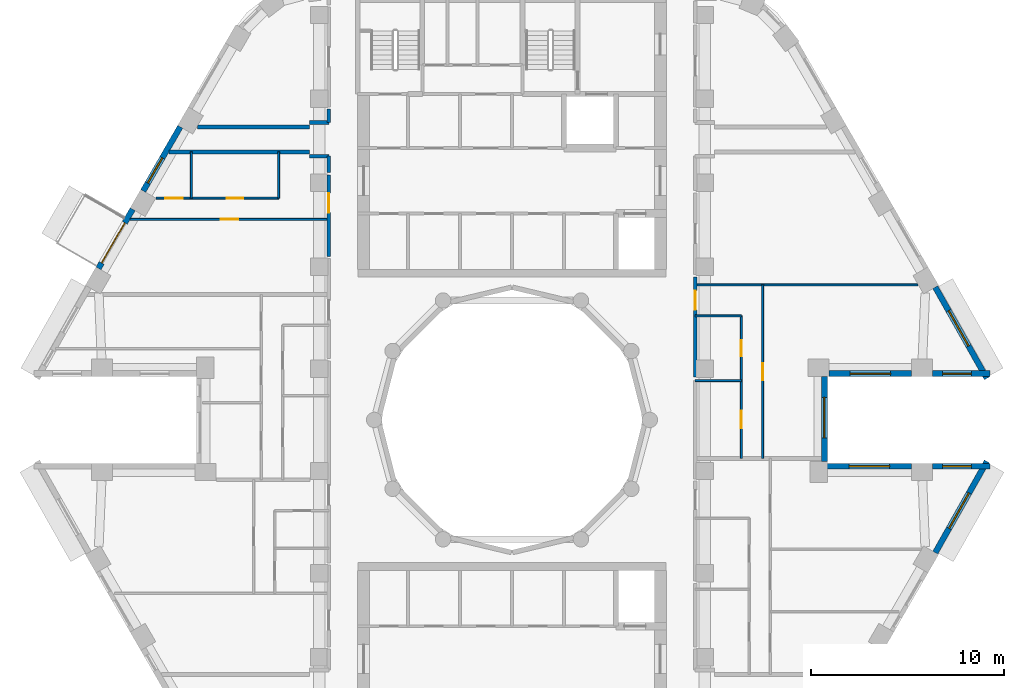
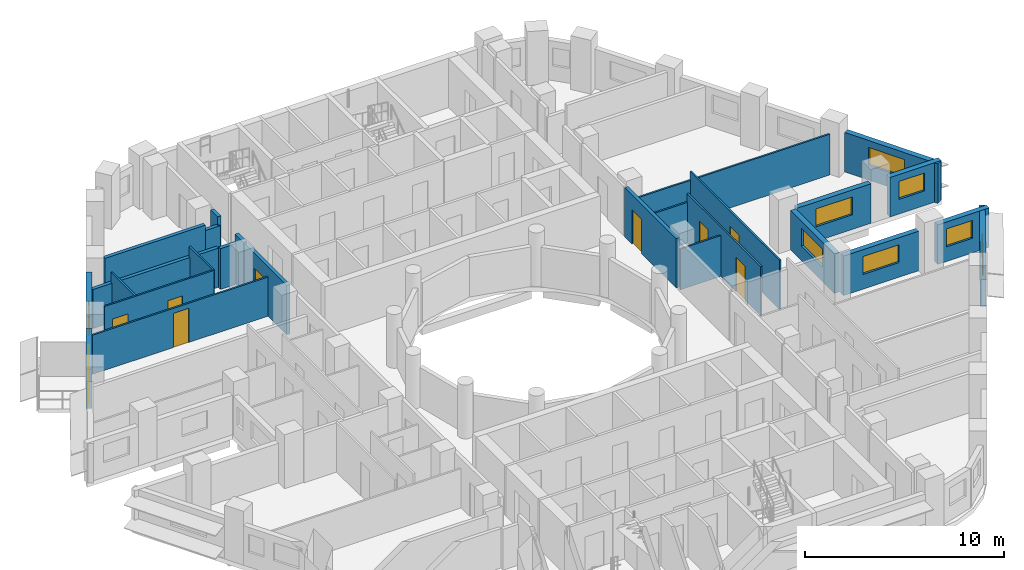
# One storey, part 6 of 13: 26 walls, 9 doors, 8 windows, 17 openings.
"""IFC4 building model written with IfcOpenShell, lengths in metres."""

import ifcopenshell
import ifcopenshell.guid

model = None  # the IFC model being written
_history = None  # IfcOwnerHistory: only IFC2X3 demands one
_inside = {}  # id of a spatial element -> (the spatial element, [elements in it])
_under = {}  # id of a project, library or spatial element -> (it, [spatial elements below it])
_declared = {}  # id of a project -> (the project, [libraries it declares])
_typed = {}  # id of a type object -> (the type object, [elements of that type])
_made_of = {}  # id of a material, layer set ... -> (it, [elements and type objects made of it])


def new_model(schema):
    """Start an empty IFC model of exactly this schema.

    Asked for "IFC4X3", IfcOpenShell would pick the latest addendum, in which some entities
    have other attributes; the version numbers below select the first issue.
    IFC2X3 requires an IfcOwnerHistory on every rooted entity: one is made here for all.
    """
    global model, _history
    if schema == "IFC4X3":
        model = ifcopenshell.file(schema_version=(4, 3, 0, 0))
    else:
        model = ifcopenshell.file(schema=schema)
    _inside.clear()
    _under.clear()
    _declared.clear()
    _typed.clear()
    _made_of.clear()
    _history = None
    if model.schema == "IFC2X3":
        org = make("IfcOrganization", Name="unknown")
        user = make(
            "IfcPersonAndOrganization",
            ThePerson=make("IfcPerson", FamilyName="unknown"),
            TheOrganization=org,
        )
        app = make(
            "IfcApplication",
            ApplicationDeveloper=org,
            Version="unknown",
            ApplicationFullName="unknown",
            ApplicationIdentifier="unknown",
        )
        _history = make(
            "IfcOwnerHistory",
            OwningUser=user,
            OwningApplication=app,
            ChangeAction="ADDED",
            CreationDate=0,
        )
    return model


def make(cls, **values):
    """One entity of the class cls with the attributes given. An attribute that is None is left unset."""
    return model.create_entity(
        cls, **{name: value for name, value in values.items() if value is not None}
    )


def rooted(cls, **values):
    """An entity with a GlobalId (a new one), such as an element, a storey or a relation."""
    return make(cls, GlobalId=ifcopenshell.guid.new(), OwnerHistory=_history, **values)


def si_unit(unit_type, name, prefix=None):
    """IfcSIUnit, for example si_unit("LENGTHUNIT", "METRE", prefix="MILLI")."""
    return make("IfcSIUnit", UnitType=unit_type, Prefix=prefix, Name=name)


def assignment(units):
    """IfcUnitAssignment: the units of a project."""
    return None if units is None else make("IfcUnitAssignment", Units=units)


def point(xyz):
    """IfcCartesianPoint."""
    return None if xyz is None else make("IfcCartesianPoint", Coordinates=xyz)


def direction(xyz):
    """IfcDirection."""
    return None if xyz is None else make("IfcDirection", DirectionRatios=xyz)


def frame(location, z_axis=None, x_axis=None):
    """IfcAxis2Placement3D, a coordinate frame: its origin and axes. An axis left out is left unset."""
    return make(
        "IfcAxis2Placement3D",
        Location=point(location),
        Axis=direction(z_axis),
        RefDirection=direction(x_axis),
    )


def frame_2d(location, x_axis=None):
    """IfcAxis2Placement2D, a coordinate frame in the plane: its origin and x axis."""
    return make(
        "IfcAxis2Placement2D", Location=point(location), RefDirection=direction(x_axis)
    )


def origin():
    """The frame at (0, 0, 0) with its axes left unset."""
    return frame((0.0, 0.0, 0.0))


def place(relative_to, where):
    """IfcLocalPlacement: puts the frame where relative to a parent placement (None: the world)."""
    return make(
        "IfcLocalPlacement", PlacementRelTo=relative_to, RelativePlacement=where
    )


def context(
    kind, dimensions, precision=None, world=None, true_north=None, identifier=None
):
    """IfcGeometricRepresentationContext, for example the 3D "Model" context."""
    return make(
        "IfcGeometricRepresentationContext",
        ContextIdentifier=identifier,
        ContextType=kind,
        CoordinateSpaceDimension=dimensions,
        Precision=precision,
        WorldCoordinateSystem=world,
        TrueNorth=true_north,
    )


def subcontext(parent, identifier, kind, view, scale=None):
    """IfcGeometricRepresentationSubContext, for example "Body" below "Model"."""
    return make(
        "IfcGeometricRepresentationSubContext",
        ContextIdentifier=identifier,
        ContextType=kind,
        ParentContext=parent,
        TargetScale=scale,
        TargetView=view,
    )


def project(units=None, contexts=None):
    """IfcProject with its units and contexts."""
    return rooted(
        "IfcProject",
        Name="project",
        RepresentationContexts=contexts,
        UnitsInContext=assignment(units),
    )


def spatial(cls, under=None, at=None, **own):
    """A site, building, storey or space (cls), placed at a placement, below another one or the project."""
    s = rooted(cls, ObjectPlacement=at, **own)
    if under is not None:
        _under.setdefault(under.id(), (under, []))[1].append(s)
    return s


def profile(cls, at=None, kind="AREA", **sizes):
    """A parametric profile (cls). Its sizes go by their IFC names, for example OverallWidth=200.0."""
    return make(cls, ProfileType=kind, Position=at, **sizes)


def rectangle(**sizes):
    """IfcRectangleProfileDef."""
    return profile("IfcRectangleProfileDef", **sizes)


def extrude(swept, where, along, depth):
    """IfcExtrudedAreaSolid: the profile swept, set in the frame where, extruded along a direction by depth."""
    return make(
        "IfcExtrudedAreaSolid",
        SweptArea=swept,
        Position=where,
        ExtrudedDirection=direction(along),
        Depth=depth,
    )


def shape(context_of_items, identifier, shape_type, items):
    """IfcShapeRepresentation: the items that make up one representation, for example the "Body"."""
    return make(
        "IfcShapeRepresentation",
        ContextOfItems=context_of_items,
        RepresentationIdentifier=identifier,
        RepresentationType=shape_type,
        Items=items,
    )


def material(Name=None, Category=None):
    """IfcMaterial."""
    return make("IfcMaterial", Name=Name, Category=Category)


def layer(
    of_material, thickness, ventilated=None, Name=None, Category=None, Priority=None
):
    """IfcMaterialLayer: one layer of a wall or slab, of a material (None: an air gap)."""
    return make(
        "IfcMaterialLayer",
        Material=of_material,
        LayerThickness=thickness,
        IsVentilated=ventilated,
        Name=Name,
        Category=Category,
        Priority=Priority,
    )


def layer_set(layers, Name=None):
    """IfcMaterialLayerSet."""
    return make("IfcMaterialLayerSet", MaterialLayers=layers, LayerSetName=Name)


def made_of(thing, what):
    """Note that an element or type object is made of a material, layer set ...; save() writes the relation."""
    if what is not None:
        _made_of.setdefault(what.id(), (what, []))[1].append(thing)
    return thing


def type_object(cls, material=None, **own):
    """A type object (cls), such as IfcWallType, which elements share."""
    return made_of(rooted(cls, **own), material)


def element(
    cls,
    number,
    at=None,
    inside=None,
    cuts=None,
    type_object=None,
    material=None,
    context=None,
    identifier="Body",
    shape_type=None,
    held_by="IfcProductDefinitionShape",
    body=None,
    shapes=None,
    **own,
):
    """One element of the class cls, such as IfcWall. Its Tag is "e" and its number.

    at: its placement. inside: the storey or other place that contains it. cuts: it is an
    opening in that element (IfcRelVoidsElement). A single representation is given by context,
    identifier, shape_type and body (its items); several are given by shapes. held_by: the class
    of the entity that holds the representations. save() writes the other relations.
    """
    e = rooted(cls, Tag="e%d" % number, ObjectPlacement=at, **own)
    if body is not None:
        shapes = [shape(context, identifier, shape_type, body)]
    if shapes is not None:
        e.Representation = make(held_by, Representations=shapes)
    if inside is not None:
        _inside.setdefault(inside.id(), (inside, []))[1].append(e)
    if cuts is not None:
        rooted(
            "IfcRelVoidsElement", RelatingBuildingElement=cuts, RelatedOpeningElement=e
        )
    if type_object is not None:
        _typed.setdefault(type_object.id(), (type_object, []))[1].append(e)
    return made_of(e, material)


def fill(opening, filler):
    """IfcRelFillsElement: the door or window that sits in an opening."""
    return rooted(
        "IfcRelFillsElement",
        RelatingOpeningElement=opening,
        RelatedBuildingElement=filler,
    )


def aggregate(whole, parts):
    """IfcRelAggregates: a whole, such as a stair, and the parts it consists of."""
    return rooted("IfcRelAggregates", RelatingObject=whole, RelatedObjects=parts)


def save(model, path):
    """Write the relations noted so far, then the file.

    IfcRelAggregates (storeys below a building ...), IfcRelContainedInSpatialStructure (elements
    in a storey), IfcRelDefinesByType, IfcRelAssociatesMaterial and IfcRelDeclares: one each for
    every whole, place, type object, material and project.
    """
    for whole, parts in _under.values():
        aggregate(whole, parts)
    for where, things in _inside.values():
        rooted(
            "IfcRelContainedInSpatialStructure",
            RelatedElements=things,
            RelatingStructure=where,
        )
    for kind, things in _typed.values():
        rooted("IfcRelDefinesByType", RelatedObjects=things, RelatingType=kind)
    for what, things in _made_of.values():
        rooted("IfcRelAssociatesMaterial", RelatedObjects=things, RelatingMaterial=what)
    for by, libraries in _declared.values():
        rooted("IfcRelDeclares", RelatingContext=by, RelatedDefinitions=libraries)
    model.write(path)


model = new_model("IFC4")

# Units and contexts
model_context = context("Model", 3, precision=1e-05, world=origin(), true_north=direction((0.0, 1.0)))
body_context = subcontext(model_context, "Body", "Model", "MODEL_VIEW")
ifc_project = project(units=[si_unit("LENGTHUNIT", "METRE"), si_unit("AREAUNIT", "SQUARE_METRE"), si_unit("VOLUMEUNIT", "CUBIC_METRE"), si_unit("PLANEANGLEUNIT", "RADIAN"), si_unit("MASSUNIT", "GRAM", prefix="KILO")], contexts=[model_context])

# Site, building, storey
site_placement = place(None, origin())
site = spatial("IfcSite", under=ifc_project, at=site_placement, CompositionType="ELEMENT")
building_placement = place(site_placement, origin())
building = spatial("IfcBuilding", under=site, at=building_placement, Name="Nakaniwa Court", CompositionType="ELEMENT")
storey_placement = place(building_placement, frame((0.0, 0.0, 239.39990234375)))
storey = spatial("IfcBuildingStorey", under=building, at=storey_placement, Name="L62", CompositionType="ELEMENT", Elevation=239.39990234375)

# Wall, opening, door
ifc_material_1 = material(Name="Acoustic double stud partition")
ifc_layer_1 = layer(ifc_material_1, 0.199951171875)
ifc_layer_set_1 = layer_set([ifc_layer_1], Name="Acoustic double stud partition")
wall_type_1 = type_object("IfcWallType", Name="Acoustic double stud partition 200", PredefinedType="PARTITIONING", material=ifc_layer_set_1)
wall_1_placement = place(storey_placement, frame((89.5, 87.423095703125, 0.0), z_axis=(0.0, 0.0, 1.0), x_axis=(0.0, -1.0, 0.0)))
wall_1 = element("IfcWall", 1, at=wall_1_placement, inside=storey, type_object=wall_type_1, Name="Partition PW-067", PredefinedType="PARTITIONING", context=body_context, shape_type="SweptSolid", body=[
    extrude(rectangle(XDim=5.18603515625, YDim=0.199951171875, at=frame_2d((2.593017578125, 0.0))), origin(), (0.0, 0.0, 1.0), 3.025146484375),
])
opening_1_placement = place(wall_1_placement, frame((0.722900390625, 0.0, 0.0)))
opening_1 = element("IfcOpeningElement", 2, at=opening_1_placement, cuts=wall_1, Name="Opening D-01-02", PredefinedType="OPENING", context=body_context, shape_type="SweptSolid", body=[
    extrude(rectangle(XDim=1.0, YDim=2.10009765625, at=frame_2d((0.5, 1.050048828125))), frame((0.0, 0.10986328125, 0.0), z_axis=(0.0, -1.0, 0.0), x_axis=(1.0, 0.0, 0.0)), (0.0, 0.0, 1.0), 0.219970703125),
])
ifc_material_2 = material(Name="Solid core timber door set, black veneer", Category="wood")
door_type_1 = type_object("IfcDoorType", Name="Flat entrance door 1000", OperationType="NOTDEFINED", PredefinedType="DOOR", material=ifc_material_2)
door_1_placement = place(opening_1_placement, origin())
door_1 = element("IfcDoor", 3, at=door_1_placement, inside=storey, type_object=door_type_1, Name="Door D-01-02 L62-040", OperationType="SINGLE_SWING_LEFT", OverallHeight=2.10009765625, OverallWidth=1.0, PredefinedType="DOOR", context=body_context, shape_type="SweptSolid", body=[
    extrude(rectangle(XDim=1.0, YDim=2.10009765625, at=frame_2d((0.5, 1.050048828125))), frame((0.0, 0.02490234375, 0.0), z_axis=(0.0, -1.0, 0.0), x_axis=(1.0, 0.0, 0.0)), (0.0, 0.0, 1.0), 0.050048828125),
])
fill(opening_1, door_1)

# Walls
wall_2_placement = place(storey_placement, frame((62.217529296875, 93.89990234375, 0.0), z_axis=(0.0, 0.0, 1.0), x_axis=(1.0, 0.0, 0.0)))
element("IfcWall", 4, at=wall_2_placement, inside=storey, type_object=wall_type_1, Name="Partition PW-073", PredefinedType="PARTITIONING", context=body_context, shape_type="SweptSolid", body=[
    extrude(rectangle(XDim=7.282470703125, YDim=0.199951171875, at=frame_2d((3.64111328125, 0.0))), origin(), (0.0, 0.0, 1.0), 2.405029296875),
])
for number, where, z_axis, x_axis, name in (
    (5, (69.5, 93.675048828125, 0.0), (0.0, 0.0, 1.0), (1.0, 0.0, 0.0), "Partition PW-075"),
    (6, (69.5, 95.425048828125, 0.0), (0.0, 0.0, 1.0), (1.0, 0.0, 0.0), "Partition PW-077"),
):
    element("IfcWall", number, at=place(storey_placement, frame(where, z_axis=z_axis, x_axis=x_axis)), inside=storey, type_object=wall_type_1, Name=name, PredefinedType="PARTITIONING", context=body_context, shape_type="SweptSolid", body=[
        extrude(rectangle(XDim=1.0, YDim=0.199951171875, at=frame_2d((0.5, 0.0))), origin(), (0.0, 0.0, 1.0), 2.505126953125),
    ])
wall_3_placement = place(storey_placement, frame((63.68115234375, 95.199951171875, 0.0), z_axis=(0.0, 0.0, 1.0), x_axis=(1.0, 0.0, 0.0)))
element("IfcWall", 7, at=wall_3_placement, inside=storey, type_object=wall_type_1, Name="Partition PW-079", PredefinedType="PARTITIONING", context=body_context, shape_type="SweptSolid", body=[
    extrude(rectangle(XDim=5.81884765625, YDim=0.199951171875, at=frame_2d((2.909423828125, 0.0))), origin(), (0.0, 0.0, 1.0), 3.025146484375),
])

# Wall, opening, door
wall_4_placement = place(storey_placement, frame((70.5, 88.47705078125, 0.0), z_axis=(0.0, 0.0, 1.0), x_axis=(0.0, 1.0, 0.0)))
wall_4 = element("IfcWall", 8, at=wall_4_placement, inside=storey, type_object=wall_type_1, Name="Partition PW-096", PredefinedType="PARTITIONING", context=body_context, shape_type="SweptSolid", body=[
    extrude(rectangle(XDim=4.23583984375, YDim=0.199951171875, at=frame_2d((2.117919921875, 0.0))), origin(), (0.0, 0.0, 1.0), 3.025146484375),
])
opening_2_placement = place(wall_4_placement, frame((2.278076171875, 0.0, 0.0)))
opening_2 = element("IfcOpeningElement", 9, at=opening_2_placement, cuts=wall_4, Name="Opening D-01-05", PredefinedType="OPENING", context=body_context, shape_type="SweptSolid", body=[
    extrude(rectangle(XDim=1.0, YDim=2.10009765625, at=frame_2d((0.5, 1.050048828125))), frame((0.0, 0.10986328125, 0.0), z_axis=(0.0, -1.0, 0.0), x_axis=(1.0, 0.0, 0.0)), (0.0, 0.0, 1.0), 0.219970703125),
])
door_2_placement = place(opening_2_placement, origin())
door_2 = element("IfcDoor", 10, at=door_2_placement, inside=storey, type_object=door_type_1, Name="Door D-01-05 L62-055", OperationType="SINGLE_SWING_RIGHT", OverallHeight=2.10009765625, OverallWidth=1.0, PredefinedType="DOOR", context=body_context, shape_type="SweptSolid", body=[
    extrude(rectangle(XDim=1.0, YDim=2.10009765625, at=frame_2d((0.5, 1.050048828125))), frame((0.0, 0.02490234375, 0.0), z_axis=(0.0, -1.0, 0.0), x_axis=(1.0, 0.0, 0.0)), (0.0, 0.0, 1.0), 0.050048828125),
])
fill(opening_2, door_2)

# Walls
wall_5_placement = place(storey_placement, frame((70.5, 92.826904296875, 0.0), z_axis=(0.0, 0.0, 1.0), x_axis=(0.0, 1.0, 0.0)))
element("IfcWall", 11, at=wall_5_placement, inside=storey, type_object=wall_type_1, Name="Partition PW-097", PredefinedType="PARTITIONING", context=body_context, shape_type="SweptSolid", body=[
    extrude(rectangle(XDim=0.85107421875, YDim=0.199951171875, at=frame_2d((0.425537109375, 0.0))), origin(), (0.0, 0.0, 1.0), 3.025146484375),
])
wall_6_placement = place(storey_placement, frame((70.5, 95.422119140625, 0.0), z_axis=(0.0, 0.0, 1.0), x_axis=(0.0, 1.0, 0.0)))
element("IfcWall", 12, at=wall_6_placement, inside=storey, type_object=wall_type_1, Name="Partition PW-098", PredefinedType="PARTITIONING", context=body_context, shape_type="SweptSolid", body=[
    extrude(rectangle(XDim=0.700927734375, YDim=0.199951171875, at=frame_2d((0.3505859375, 0.0))), origin(), (0.0, 0.0, 1.0), 3.025146484375),
])

# Wall, opening, window
ifc_material_3 = material(Name="Charcoal ceramic cladding")
ifc_layer_2 = layer(ifc_material_3, 0.02, Name="Ceramic cladding")
ifc_material_4 = material(Name="Ventilated air cavity")
ifc_layer_3 = layer(ifc_material_4, 0.04, ventilated=True, Name="Ventilated cavity")
ifc_material_5 = material(Name="Mineral wool insulation")
ifc_layer_4 = layer(ifc_material_5, 0.1, Name="Insulation")
ifc_material_6 = material(Name="Cement bonded sheathing board")
ifc_layer_5 = layer(ifc_material_6, 0.012, Name="Sheathing")
ifc_material_7 = material(Name="Cold-formed galvanised stud frame with mineral wool infill")
ifc_layer_6 = layer(ifc_material_7, 0.1, Name="Stud frame")
ifc_material_8 = material(Name="Fire-rated gypsum plasterboard lining")
ifc_layer_7 = layer(ifc_material_8, 0.028, Name="Lining")
ifc_layer_set_2 = layer_set([ifc_layer_2, ifc_layer_3, ifc_layer_4, ifc_layer_5, ifc_layer_6, ifc_layer_7], Name="Charcoal ceramic faced external wall system")
wall_type_2 = type_object("IfcWallType", Name="Black ceramic faced external wall 300", PredefinedType="SOLIDWALL", material=ifc_layer_set_2)
wall_7_placement = place(storey_placement, frame((96.445556640625, 82.39990234375, 0.0), z_axis=(0.0, 0.0, 1.0), x_axis=(1.0, 0.0, 0.0)))
wall_7 = element("IfcWall", 13, at=wall_7_placement, inside=storey, type_object=wall_type_2, Name="L62 external wall 00", PredefinedType="SOLIDWALL", context=body_context, shape_type="SweptSolid", body=[
    extrude(rectangle(XDim=4.2724609375, YDim=0.300048828125, at=frame_2d((2.13623046875, 0.0))), origin(), (0.0, 0.0, 1.0), 2.425048828125),
])
opening_3_placement = place(wall_7_placement, frame((1.086181640625, 0.0, 0.89990234375)))
opening_3 = element("IfcOpeningElement", 14, at=opening_3_placement, cuts=wall_7, Name="Opening W7.01", PredefinedType="OPENING", context=body_context, shape_type="SweptSolid", body=[
    extrude(rectangle(XDim=2.10009765625, YDim=1.10009765625, at=frame_2d((1.050048828125, 0.550048828125))), frame((0.0, 0.159912109375, 0.0), z_axis=(0.0, -1.0, 0.0), x_axis=(1.0, 0.0, 0.0)), (0.0, 0.0, 1.0), 0.320068359375),
])
ifc_material_9 = material(Name="Black anodised aluminium frame with dark low-E laminated double glazing", Category="aluminium")
window_type_1 = type_object("IfcWindowType", Name="Dark glass window 2100x1100 sill 900", PartitioningType="SINGLE_PANEL", PredefinedType="WINDOW", material=ifc_material_9)
window_1_placement = place(opening_3_placement, origin())
window_1 = element("IfcWindow", 15, at=window_1_placement, inside=storey, type_object=window_type_1, Name="L62 living window 00-0", OverallHeight=1.10009765625, OverallWidth=2.10009765625, PartitioningType="SINGLE_PANEL", PredefinedType="WINDOW", context=body_context, shape_type="SweptSolid", body=[
    extrude(rectangle(XDim=2.10009765625, YDim=1.10009765625, at=frame_2d((1.050048828125, 0.550048828125))), frame((0.0, 0.030029296875, 0.0), z_axis=(0.0, -1.0, 0.0), x_axis=(1.0, 0.0, 0.0)), (0.0, 0.0, 1.0), 0.06005859375),
])
fill(opening_3, window_1)

wall_8_placement = place(storey_placement, frame((101.81005859375, 82.39990234375, 0.0), z_axis=(0.0, 0.0, 1.0), x_axis=(1.0, 0.0, 0.0)))
wall_8 = element("IfcWall", 16, at=wall_8_placement, inside=storey, type_object=wall_type_2, Name="L62 external wall 01", PredefinedType="SOLIDWALL", context=body_context, shape_type="SweptSolid", body=[
    extrude(rectangle(XDim=2.98779296875, YDim=0.300048828125, at=frame_2d((1.493896484375, 0.0))), origin(), (0.0, 0.0, 1.0), 2.425048828125),
])
opening_4_placement = place(wall_8_placement, frame((0.51904296875, 0.0, 0.89990234375)))
opening_4 = element("IfcOpeningElement", 17, at=opening_4_placement, cuts=wall_8, Name="Opening W5.02", PredefinedType="OPENING", context=body_context, shape_type="SweptSolid", body=[
    extrude(rectangle(XDim=1.5, YDim=1.10009765625, at=frame_2d((0.75, 0.550048828125))), frame((0.0, 0.159912109375, 0.0), z_axis=(0.0, -1.0, 0.0), x_axis=(1.0, 0.0, 0.0)), (0.0, 0.0, 1.0), 0.320068359375),
])
window_type_2 = type_object("IfcWindowType", Name="Dark glass window 1500x1100 sill 900", PartitioningType="SINGLE_PANEL", PredefinedType="WINDOW", material=ifc_material_9)
window_2_placement = place(opening_4_placement, origin())
window_2 = element("IfcWindow", 18, at=window_2_placement, inside=storey, type_object=window_type_2, Name="L62 living window 01-0", OverallHeight=1.10009765625, OverallWidth=1.5, PartitioningType="SINGLE_PANEL", PredefinedType="WINDOW", context=body_context, shape_type="SweptSolid", body=[
    extrude(rectangle(XDim=1.5, YDim=1.10009765625, at=frame_2d((0.75, 0.550048828125))), frame((0.0, 0.030029296875, 0.0), z_axis=(0.0, -1.0, 0.0), x_axis=(1.0, 0.0, 0.0)), (0.0, 0.0, 1.0), 0.06005859375),
])
fill(opening_4, window_2)

wall_9_placement = place(storey_placement, frame((104.627197265625, 82.153564453125, 0.0), z_axis=(0.0, 0.0, 1.0), x_axis=(-0.492080931903, 0.870549456641, 0.0)))
wall_9 = element("IfcWall", 19, at=wall_9_placement, inside=storey, type_object=wall_type_2, Name="L62 external wall 02", PredefinedType="SOLIDWALL", context=body_context, shape_type="SweptSolid", body=[
    extrude(rectangle(XDim=5.436767578125, YDim=0.300048828125, at=frame_2d((2.71826171875, 0.0))), origin(), (0.0, 0.0, 1.0), 2.425048828125),
])
opening_5_placement = place(wall_9_placement, frame((1.931396484375, 0.0, 0.89990234375)))
opening_5 = element("IfcOpeningElement", 20, at=opening_5_placement, cuts=wall_9, Name="Opening W7.03", PredefinedType="OPENING", context=body_context, shape_type="SweptSolid", body=[
    extrude(rectangle(XDim=2.10009765625, YDim=1.10009765625, at=frame_2d((1.050048828125, 0.550048828125))), frame((0.0, 0.159912109375, 0.0), z_axis=(0.0, -1.0, 0.0), x_axis=(1.0, 0.0, 0.0)), (0.0, 0.0, 1.0), 0.320068359375),
])
window_3_placement = place(opening_5_placement, origin())
window_3 = element("IfcWindow", 21, at=window_3_placement, inside=storey, type_object=window_type_1, Name="L62 living window 02-0", OverallHeight=1.10009765625, OverallWidth=2.10009765625, PartitioningType="SINGLE_PANEL", PredefinedType="WINDOW", context=body_context, shape_type="SweptSolid", body=[
    extrude(rectangle(XDim=2.10009765625, YDim=1.10009765625, at=frame_2d((1.050048828125, 0.550048828125))), frame((0.0, 0.030029296875, 0.0), z_axis=(0.0, -1.0, 0.0), x_axis=(1.0, 0.0, 0.0)), (0.0, 0.0, 1.0), 0.06005859375),
])
fill(opening_5, window_3)

wall_10_placement = place(storey_placement, frame((62.7958984375, 95.201904296875, 0.0), z_axis=(0.0, 0.0, 1.0), x_axis=(-0.499984490703, -0.866034357896, 0.0)))
wall_10 = element("IfcWall", 22, at=wall_10_placement, inside=storey, type_object=wall_type_2, Name="L62 external wall 12", PredefinedType="SOLIDWALL", context=body_context, shape_type="SweptSolid", body=[
    extrude(rectangle(XDim=3.84423828125, YDim=0.300048828125, at=frame_2d((1.922119140625, 0.0))), origin(), (0.0, 0.0, 1.0), 2.425048828125),
])
opening_6_placement = place(wall_10_placement, frame((1.86279296875, 0.0, 0.89990234375)))
opening_6 = element("IfcOpeningElement", 23, at=opening_6_placement, cuts=wall_10, Name="Opening W5.12", PredefinedType="OPENING", context=body_context, shape_type="SweptSolid", body=[
    extrude(rectangle(XDim=1.5, YDim=1.10009765625, at=frame_2d((0.75, 0.550048828125))), frame((0.0, 0.159912109375, 0.0), z_axis=(0.0, -1.0, 0.0), x_axis=(1.0, 0.0, 0.0)), (0.0, 0.0, 1.0), 0.320068359375),
])
window_4_placement = place(opening_6_placement, origin())
window_4 = element("IfcWindow", 24, at=window_4_placement, inside=storey, type_object=window_type_2, Name="L62 habitable room window 12-1", OverallHeight=1.10009765625, OverallWidth=1.5, PartitioningType="SINGLE_PANEL", PredefinedType="WINDOW", context=body_context, shape_type="SweptSolid", body=[
    extrude(rectangle(XDim=1.5, YDim=1.10009765625, at=frame_2d((0.75, 0.550048828125))), frame((0.0, 0.030029296875, 0.0), z_axis=(0.0, -1.0, 0.0), x_axis=(1.0, 0.0, 0.0)), (0.0, 0.0, 1.0), 0.06005859375),
])
fill(opening_6, window_4)

# Wall, opening, door
wall_11_placement = place(storey_placement, frame((60.327880859375, 90.927001953125, 0.0), z_axis=(0.0, 0.0, 1.0), x_axis=(-0.500010404316, -0.866019396766, 0.0)))
wall_11 = element("IfcWall", 25, at=wall_11_placement, inside=storey, type_object=wall_type_2, Name="L62 external wall 13", PredefinedType="SOLIDWALL", context=body_context, shape_type="SweptSolid", body=[
    extrude(rectangle(XDim=3.54736328125, YDim=0.300048828125, at=frame_2d((1.773681640625, 0.0))), origin(), (0.0, 0.0, 1.0), 2.425048828125),
])
opening_7_placement = place(wall_11_placement, frame((0.816650390625, 0.0, 0.0)))
opening_7 = element("IfcOpeningElement", 26, at=opening_7_placement, cuts=wall_11, Name="Opening XD13.01", PredefinedType="OPENING", context=body_context, shape_type="SweptSolid", body=[
    extrude(rectangle(XDim=2.39990234375, YDim=2.0, at=frame_2d((1.199951171875, 1.0))), frame((0.0, 0.159912109375, 0.0), z_axis=(0.0, -1.0, 0.0), x_axis=(1.0, 0.0, 0.0)), (0.0, 0.0, 1.0), 0.320068359375),
])
ifc_material_10 = material(Name="Black powder-coated aluminium frame with dark laminated glass", Category="aluminium")
door_type_2 = type_object("IfcDoorType", Name="Balcony sliding door 2400x2000", OperationType="DOUBLE_DOOR_SLIDING", PredefinedType="DOOR", material=ifc_material_10)
door_3_placement = place(opening_7_placement, origin())
door_3 = element("IfcDoor", 27, at=door_3_placement, inside=storey, type_object=door_type_2, Name="L62 balcony sliding door 01", OperationType="DOUBLE_DOOR_SLIDING", OverallHeight=2.0, OverallWidth=2.39990234375, PredefinedType="DOOR", context=body_context, shape_type="SweptSolid", body=[
    extrude(rectangle(XDim=2.39990234375, YDim=2.0, at=frame_2d((1.199951171875, 1.0))), frame((0.0, 0.02490234375, 0.0), z_axis=(0.0, -1.0, 0.0), x_axis=(1.0, 0.0, 0.0)), (0.0, 0.0, 1.0), 0.050048828125),
])
fill(opening_7, door_3)

# Wall, opening, window
wall_12_placement = place(storey_placement, frame((101.951904296875, 73.113525390625, 0.0), z_axis=(0.0, 0.0, 1.0), x_axis=(0.492080931903, 0.870549456641, 0.0)))
wall_12 = element("IfcWall", 28, at=wall_12_placement, inside=storey, type_object=wall_type_2, Name="L62 external wall 32", PredefinedType="SOLIDWALL", context=body_context, shape_type="SweptSolid", body=[
    extrude(rectangle(XDim=5.436767578125, YDim=0.300048828125, at=frame_2d((2.71826171875, 0.0))), origin(), (0.0, 0.0, 1.0), 2.425048828125),
])
opening_8_placement = place(wall_12_placement, frame((1.453369140625, 0.0, 0.89990234375)))
opening_8 = element("IfcOpeningElement", 29, at=opening_8_placement, cuts=wall_12, Name="Opening W7.32", PredefinedType="OPENING", context=body_context, shape_type="SweptSolid", body=[
    extrude(rectangle(XDim=2.10009765625, YDim=1.10009765625, at=frame_2d((1.050048828125, 0.550048828125))), frame((0.0, 0.159912109375, 0.0), z_axis=(0.0, -1.0, 0.0), x_axis=(1.0, 0.0, 0.0)), (0.0, 0.0, 1.0), 0.320068359375),
])
window_5_placement = place(opening_8_placement, origin())
window_5 = element("IfcWindow", 30, at=window_5_placement, inside=storey, type_object=window_type_1, Name="L62 living window 32-0", OverallHeight=1.10009765625, OverallWidth=2.10009765625, PartitioningType="SINGLE_PANEL", PredefinedType="WINDOW", context=body_context, shape_type="SweptSolid", body=[
    extrude(rectangle(XDim=2.10009765625, YDim=1.10009765625, at=frame_2d((1.050048828125, 0.550048828125))), frame((0.0, 0.030029296875, 0.0), z_axis=(0.0, -1.0, 0.0), x_axis=(1.0, 0.0, 0.0)), (0.0, 0.0, 1.0), 0.06005859375),
])
fill(opening_8, window_5)

wall_13_placement = place(storey_placement, frame((104.7978515625, 77.60009765625, 0.0), z_axis=(0.0, 0.0, 1.0), x_axis=(-1.0, 0.0, 0.0)))
wall_13 = element("IfcWall", 31, at=wall_13_placement, inside=storey, type_object=wall_type_2, Name="L62 external wall 33", PredefinedType="SOLIDWALL", context=body_context, shape_type="SweptSolid", body=[
    extrude(rectangle(XDim=2.98779296875, YDim=0.300048828125, at=frame_2d((1.493896484375, 0.0))), origin(), (0.0, 0.0, 1.0), 2.425048828125),
])
opening_9_placement = place(wall_13_placement, frame((0.968994140625, 0.0, 0.89990234375)))
opening_9 = element("IfcOpeningElement", 32, at=opening_9_placement, cuts=wall_13, Name="Opening W5.33", PredefinedType="OPENING", context=body_context, shape_type="SweptSolid", body=[
    extrude(rectangle(XDim=1.5, YDim=1.10009765625, at=frame_2d((0.75, 0.550048828125))), frame((0.0, 0.159912109375, 0.0), z_axis=(0.0, -1.0, 0.0), x_axis=(1.0, 0.0, 0.0)), (0.0, 0.0, 1.0), 0.320068359375),
])
window_6_placement = place(opening_9_placement, origin())
window_6 = element("IfcWindow", 33, at=window_6_placement, inside=storey, type_object=window_type_2, Name="L62 living window 33-0", OverallHeight=1.10009765625, OverallWidth=1.5, PartitioningType="SINGLE_PANEL", PredefinedType="WINDOW", context=body_context, shape_type="SweptSolid", body=[
    extrude(rectangle(XDim=1.5, YDim=1.10009765625, at=frame_2d((0.75, 0.550048828125))), frame((0.0, 0.030029296875, 0.0), z_axis=(0.0, -1.0, 0.0), x_axis=(1.0, 0.0, 0.0)), (0.0, 0.0, 1.0), 0.06005859375),
])
fill(opening_9, window_6)

wall_14_placement = place(storey_placement, frame((100.718017578125, 77.60009765625, 0.0), z_axis=(0.0, 0.0, 1.0), x_axis=(-1.0, 0.0, 0.0)))
wall_14 = element("IfcWall", 34, at=wall_14_placement, inside=storey, type_object=wall_type_2, Name="L62 external wall 34", PredefinedType="SOLIDWALL", context=body_context, shape_type="SweptSolid", body=[
    extrude(rectangle(XDim=4.37255859375, YDim=0.300048828125, at=frame_2d((2.186279296875, 0.0))), origin(), (0.0, 0.0, 1.0), 2.425048828125),
])
opening_10_placement = place(wall_14_placement, frame((1.13623046875, 0.0, 0.89990234375)))
opening_10 = element("IfcOpeningElement", 35, at=opening_10_placement, cuts=wall_14, Name="Opening W7.34", PredefinedType="OPENING", context=body_context, shape_type="SweptSolid", body=[
    extrude(rectangle(XDim=2.10009765625, YDim=1.10009765625, at=frame_2d((1.050048828125, 0.550048828125))), frame((0.0, 0.159912109375, 0.0), z_axis=(0.0, -1.0, 0.0), x_axis=(1.0, 0.0, 0.0)), (0.0, 0.0, 1.0), 0.320068359375),
])
window_7_placement = place(opening_10_placement, origin())
window_7 = element("IfcWindow", 36, at=window_7_placement, inside=storey, type_object=window_type_1, Name="L62 living window 34-0", OverallHeight=1.10009765625, OverallWidth=2.10009765625, PartitioningType="SINGLE_PANEL", PredefinedType="WINDOW", context=body_context, shape_type="SweptSolid", body=[
    extrude(rectangle(XDim=2.10009765625, YDim=1.10009765625, at=frame_2d((1.050048828125, 0.550048828125))), frame((0.0, 0.030029296875, 0.0), z_axis=(0.0, -1.0, 0.0), x_axis=(1.0, 0.0, 0.0)), (0.0, 0.0, 1.0), 0.06005859375),
])
fill(opening_10, window_7)

wall_15_placement = place(storey_placement, frame((96.199462890625, 77.845947265625, 0.0), z_axis=(0.0, 0.0, 1.0), x_axis=(0.0, 1.0, 0.0)))
wall_15 = element("IfcWall", 37, at=wall_15_placement, inside=storey, type_object=wall_type_2, Name="L62 external wall 35", PredefinedType="SOLIDWALL", context=body_context, shape_type="SweptSolid", body=[
    extrude(rectangle(XDim=4.407958984375, YDim=0.300048828125, at=frame_2d((2.2041015625, 0.0))), origin(), (0.0, 0.0, 1.0), 2.425048828125),
])
opening_11_placement = place(wall_15_placement, frame((1.218994140625, 0.0, 0.89990234375)))
opening_11 = element("IfcOpeningElement", 38, at=opening_11_placement, cuts=wall_15, Name="Opening W7.35", PredefinedType="OPENING", context=body_context, shape_type="SweptSolid", body=[
    extrude(rectangle(XDim=2.10009765625, YDim=1.10009765625, at=frame_2d((1.050048828125, 0.550048828125))), frame((0.0, 0.159912109375, 0.0), z_axis=(0.0, -1.0, 0.0), x_axis=(1.0, 0.0, 0.0)), (0.0, 0.0, 1.0), 0.320068359375),
])
window_8_placement = place(opening_11_placement, origin())
window_8 = element("IfcWindow", 39, at=window_8_placement, inside=storey, type_object=window_type_1, Name="L62 living window 35-1", OverallHeight=1.10009765625, OverallWidth=2.10009765625, PartitioningType="SINGLE_PANEL", PredefinedType="WINDOW", context=body_context, shape_type="SweptSolid", body=[
    extrude(rectangle(XDim=2.10009765625, YDim=1.10009765625, at=frame_2d((1.050048828125, 0.550048828125))), frame((0.0, 0.030029296875, 0.0), z_axis=(0.0, -1.0, 0.0), x_axis=(1.0, 0.0, 0.0)), (0.0, 0.0, 1.0), 0.06005859375),
])
fill(opening_11, window_8)

# Wall
ifc_material_11 = material(Name="Single stud plasterboard partition")
ifc_layer_8 = layer(ifc_material_11, 0.10009765625)
ifc_layer_set_3 = layer_set([ifc_layer_8], Name="Single stud plasterboard partition")
wall_type_3 = type_object("IfcWallType", Name="Single stud plasterboard partition 100", PredefinedType="PARTITIONING", material=ifc_layer_set_3)
wall_16_placement = place(storey_placement, frame((89.5, 82.035888671875, 0.0), z_axis=(0.0, 0.0, 1.0), x_axis=(1.0, 0.0, 0.0)))
element("IfcWall", 40, at=wall_16_placement, inside=storey, type_object=wall_type_3, Name="Partition PW-108", PredefinedType="PARTITIONING", context=body_context, shape_type="SweptSolid", body=[
    extrude(rectangle(XDim=2.39990234375, YDim=0.10009765625, at=frame_2d((1.199951171875, 0.0))), origin(), (0.0, 0.0, 1.0), 2.505126953125),
])

# Wall, openings, doors
wall_17_placement = place(storey_placement, frame((91.89990234375, 78.0, 0.0), z_axis=(0.0, 0.0, 1.0), x_axis=(0.0, 1.0, 0.0)))
wall_17 = element("IfcWall", 41, at=wall_17_placement, inside=storey, type_object=wall_type_3, Name="Partition PW-109", PredefinedType="PARTITIONING", context=body_context, shape_type="SweptSolid", body=[
    extrude(rectangle(XDim=7.39990234375, YDim=0.10009765625, at=frame_2d((3.699951171875, 0.0))), origin(), (0.0, 0.0, 1.0), 3.025146484375),
])
opening_12_placement = place(wall_17_placement, frame((1.568115234375, 0.0, 0.0)))
opening_12 = element("IfcOpeningElement", 42, at=opening_12_placement, cuts=wall_17, Name="Opening D-33-05", PredefinedType="OPENING", context=body_context, shape_type="SweptSolid", body=[
    extrude(rectangle(XDim=0.89990234375, YDim=2.10009765625, at=frame_2d((0.449951171875, 1.050048828125))), frame((0.0, 0.06005859375, 0.0), z_axis=(0.0, -1.0, 0.0), x_axis=(1.0, 0.0, 0.0)), (0.0, 0.0, 1.0), 0.1201171875),
])
opening_13_placement = place(wall_17_placement, frame((5.29296875, 0.0, 0.0)))
opening_13 = element("IfcOpeningElement", 43, at=opening_13_placement, cuts=wall_17, Name="Opening D-03-02", PredefinedType="OPENING", context=body_context, shape_type="SweptSolid", body=[
    extrude(rectangle(XDim=0.85009765625, YDim=2.10009765625, at=frame_2d((0.425048828125, 1.050048828125))), frame((0.0, 0.06005859375, 0.0), z_axis=(0.0, -1.0, 0.0), x_axis=(1.0, 0.0, 0.0)), (0.0, 0.0, 1.0), 0.1201171875),
])
ifc_material_12 = material(Name="Moisture sealed timber door set", Category="wood")
door_type_3 = type_object("IfcDoorType", Name="Bathroom door 850", OperationType="NOTDEFINED", PredefinedType="DOOR", material=ifc_material_12)
door_4_placement = place(opening_13_placement, origin())
door_4 = element("IfcDoor", 44, at=door_4_placement, inside=storey, type_object=door_type_3, Name="Door D-03-02 L62-042", OperationType="SINGLE_SWING_LEFT", OverallHeight=2.10009765625, OverallWidth=0.85009765625, PredefinedType="DOOR", context=body_context, shape_type="SweptSolid", body=[
    extrude(rectangle(XDim=0.85009765625, YDim=2.10009765625, at=frame_2d((0.425048828125, 1.050048828125))), frame((0.0, 0.02490234375, 0.0), z_axis=(0.0, -1.0, 0.0), x_axis=(1.0, 0.0, 0.0)), (0.0, 0.0, 1.0), 0.050048828125),
])
fill(opening_13, door_4)
door_type_4 = type_object("IfcDoorType", Name="Internal door 900", OperationType="NOTDEFINED", PredefinedType="DOOR", material=ifc_material_2)
door_5_placement = place(opening_12_placement, origin())
door_5 = element("IfcDoor", 45, at=door_5_placement, inside=storey, type_object=door_type_4, Name="Door D-33-05 L62-041", OperationType="SINGLE_SWING_RIGHT", OverallHeight=2.10009765625, OverallWidth=0.89990234375, PredefinedType="DOOR", context=body_context, shape_type="SweptSolid", body=[
    extrude(rectangle(XDim=0.89990234375, YDim=2.10009765625, at=frame_2d((0.449951171875, 1.050048828125))), frame((0.0, 0.02490234375, 0.0), z_axis=(0.0, -1.0, 0.0), x_axis=(1.0, 0.0, 0.0)), (0.0, 0.0, 1.0), 0.050048828125),
])
fill(opening_12, door_5)

# Wall
wall_18_placement = place(storey_placement, frame((89.5, 85.39990234375, 0.0), z_axis=(0.0, 0.0, 1.0), x_axis=(1.0, 0.0, 0.0)))
element("IfcWall", 46, at=wall_18_placement, inside=storey, type_object=wall_type_3, Name="Partition PW-110", PredefinedType="PARTITIONING", context=body_context, shape_type="SweptSolid", body=[
    extrude(rectangle(XDim=2.39990234375, YDim=0.10009765625, at=frame_2d((1.199951171875, 0.0))), origin(), (0.0, 0.0, 1.0), 2.505126953125),
])

# Wall, opening, door
wall_19_placement = place(storey_placement, frame((93.0, 87.0, 0.0), z_axis=(0.0, 0.0, 1.0), x_axis=(0.0, -1.0, 0.0)))
wall_19 = element("IfcWall", 47, at=wall_19_placement, inside=storey, type_object=wall_type_3, Name="Partition PW-111", PredefinedType="PARTITIONING", context=body_context, shape_type="SweptSolid", body=[
    extrude(rectangle(XDim=9.0, YDim=0.10009765625, at=frame_2d((4.5, 0.0))), origin(), (0.0, 0.0, 1.0), 3.025146484375),
])
opening_14_placement = place(wall_19_placement, frame((4.050048828125, 0.0, 0.0)))
opening_14 = element("IfcOpeningElement", 48, at=opening_14_placement, cuts=wall_19, Name="Opening D-33-06", PredefinedType="OPENING", context=body_context, shape_type="SweptSolid", body=[
    extrude(rectangle(XDim=0.89990234375, YDim=2.10009765625, at=frame_2d((0.449951171875, 1.050048828125))), frame((0.0, 0.06005859375, 0.0), z_axis=(0.0, -1.0, 0.0), x_axis=(1.0, 0.0, 0.0)), (0.0, 0.0, 1.0), 0.1201171875),
])
door_6_placement = place(opening_14_placement, origin())
door_6 = element("IfcDoor", 49, at=door_6_placement, inside=storey, type_object=door_type_4, Name="Door D-33-06 L62-043", OperationType="SINGLE_SWING_RIGHT", OverallHeight=2.10009765625, OverallWidth=0.89990234375, PredefinedType="DOOR", context=body_context, shape_type="SweptSolid", body=[
    extrude(rectangle(XDim=0.89990234375, YDim=2.10009765625, at=frame_2d((0.449951171875, 1.050048828125))), frame((0.0, 0.02490234375, 0.0), z_axis=(0.0, -1.0, 0.0), x_axis=(1.0, 0.0, 0.0)), (0.0, 0.0, 1.0), 0.050048828125),
])
fill(opening_14, door_6)

# Walls
wall_20_placement = place(storey_placement, frame((89.5, 87.0, 0.0), z_axis=(0.0, 0.0, 1.0), x_axis=(1.0, 0.0, 0.0)))
element("IfcWall", 50, at=wall_20_placement, inside=storey, type_object=wall_type_3, Name="Partition PW-112", PredefinedType="PARTITIONING", context=body_context, shape_type="SweptSolid", body=[
    extrude(rectangle(XDim=11.55029296875, YDim=0.10009765625, at=frame_2d((5.775146484375, 0.0))), origin(), (0.0, 0.0, 1.0), 2.505126953125),
])
wall_21_placement = place(storey_placement, frame((63.375, 91.5, 0.0), z_axis=(0.0, 0.0, 1.0), x_axis=(0.0, 1.0, 0.0)))
element("IfcWall", 51, at=wall_21_placement, inside=storey, type_object=wall_type_3, Name="Partition PW-126", PredefinedType="PARTITIONING", context=body_context, shape_type="SweptSolid", body=[
    extrude(rectangle(XDim=2.39990234375, YDim=0.10009765625, at=frame_2d((1.199951171875, 0.0))), origin(), (0.0, 0.0, 1.0), 3.025146484375),
])

# Wall, openings, doors
wall_22_placement = place(storey_placement, frame((61.5478515625, 91.5, 0.0), z_axis=(0.0, 0.0, 1.0), x_axis=(1.0, 0.0, 0.0)))
wall_22 = element("IfcWall", 52, at=wall_22_placement, inside=storey, type_object=wall_type_3, Name="Partition PW-127", PredefinedType="PARTITIONING", context=body_context, shape_type="SweptSolid", body=[
    extrude(rectangle(XDim=6.35205078125, YDim=0.10009765625, at=frame_2d((3.176025390625, 0.0))), origin(), (0.0, 0.0, 1.0), 3.025146484375),
])
opening_15_placement = place(wall_22_placement, frame((0.464111328125, 0.0, 0.0)))
opening_15 = element("IfcOpeningElement", 53, at=opening_15_placement, cuts=wall_22, Name="Opening D-33-13", PredefinedType="OPENING", context=body_context, shape_type="SweptSolid", body=[
    extrude(rectangle(XDim=0.89990234375, YDim=2.10009765625, at=frame_2d((0.449951171875, 1.050048828125))), frame((0.0, 0.06005859375, 0.0), z_axis=(0.0, -1.0, 0.0), x_axis=(1.0, 0.0, 0.0)), (0.0, 0.0, 1.0), 0.1201171875),
])
opening_16_placement = place(wall_22_placement, frame((3.6650390625, 0.0, 0.0)))
opening_16 = element("IfcOpeningElement", 54, at=opening_16_placement, cuts=wall_22, Name="Opening D-03-05", PredefinedType="OPENING", context=body_context, shape_type="SweptSolid", body=[
    extrude(rectangle(XDim=0.85009765625, YDim=2.10009765625, at=frame_2d((0.425048828125, 1.050048828125))), frame((0.0, 0.06005859375, 0.0), z_axis=(0.0, -1.0, 0.0), x_axis=(1.0, 0.0, 0.0)), (0.0, 0.0, 1.0), 0.1201171875),
])
door_7_placement = place(opening_16_placement, origin())
door_7 = element("IfcDoor", 55, at=door_7_placement, inside=storey, type_object=door_type_3, Name="Door D-03-05 L62-057", OperationType="SINGLE_SWING_RIGHT", OverallHeight=2.10009765625, OverallWidth=0.85009765625, PredefinedType="DOOR", context=body_context, shape_type="SweptSolid", body=[
    extrude(rectangle(XDim=0.85009765625, YDim=2.10009765625, at=frame_2d((0.425048828125, 1.050048828125))), frame((0.0, 0.02490234375, 0.0), z_axis=(0.0, -1.0, 0.0), x_axis=(1.0, 0.0, 0.0)), (0.0, 0.0, 1.0), 0.050048828125),
])
fill(opening_16, door_7)
door_8_placement = place(opening_15_placement, origin())
door_8 = element("IfcDoor", 56, at=door_8_placement, inside=storey, type_object=door_type_4, Name="Door D-33-13 L62-056", OperationType="SINGLE_SWING_LEFT", OverallHeight=2.10009765625, OverallWidth=0.89990234375, PredefinedType="DOOR", context=body_context, shape_type="SweptSolid", body=[
    extrude(rectangle(XDim=0.89990234375, YDim=2.10009765625, at=frame_2d((0.449951171875, 1.050048828125))), frame((0.0, 0.02490234375, 0.0), z_axis=(0.0, -1.0, 0.0), x_axis=(1.0, 0.0, 0.0)), (0.0, 0.0, 1.0), 0.050048828125),
])
fill(opening_15, door_8)

# Wall
wall_23_placement = place(storey_placement, frame((67.89990234375, 91.5, 0.0), z_axis=(0.0, 0.0, 1.0), x_axis=(0.0, 1.0, 0.0)))
element("IfcWall", 57, at=wall_23_placement, inside=storey, type_object=wall_type_3, Name="Partition PW-128", PredefinedType="PARTITIONING", context=body_context, shape_type="SweptSolid", body=[
    extrude(rectangle(XDim=2.39990234375, YDim=0.10009765625, at=frame_2d((1.199951171875, 0.0))), origin(), (0.0, 0.0, 1.0), 3.025146484375),
])

# Wall, opening, door
wall_24_placement = place(storey_placement, frame((70.5, 90.39990234375, 0.0), z_axis=(0.0, 0.0, 1.0), x_axis=(-1.0, 0.0, 0.0)))
wall_24 = element("IfcWall", 58, at=wall_24_placement, inside=storey, type_object=wall_type_3, Name="Partition PW-129", PredefinedType="PARTITIONING", context=body_context, shape_type="SweptSolid", body=[
    extrude(rectangle(XDim=10.302978515625, YDim=0.10009765625, at=frame_2d((5.1513671875, 0.0))), origin(), (0.0, 0.0, 1.0), 2.405029296875),
])
opening_17_placement = place(wall_24_placement, frame((4.700927734375, 0.0, 0.0)))
opening_17 = element("IfcOpeningElement", 59, at=opening_17_placement, cuts=wall_24, Name="Opening D-33-14", PredefinedType="OPENING", context=body_context, shape_type="SweptSolid", body=[
    extrude(rectangle(XDim=0.89990234375, YDim=2.10009765625, at=frame_2d((0.449951171875, 1.050048828125))), frame((0.0, 0.06005859375, 0.0), z_axis=(0.0, -1.0, 0.0), x_axis=(1.0, 0.0, 0.0)), (0.0, 0.0, 1.0), 0.1201171875),
])
door_9_placement = place(opening_17_placement, origin())
door_9 = element("IfcDoor", 60, at=door_9_placement, inside=storey, type_object=door_type_4, Name="Door D-33-14 L62-058", OperationType="SINGLE_SWING_LEFT", OverallHeight=2.10009765625, OverallWidth=0.89990234375, PredefinedType="DOOR", context=body_context, shape_type="SweptSolid", body=[
    extrude(rectangle(XDim=0.89990234375, YDim=2.10009765625, at=frame_2d((0.449951171875, 1.050048828125))), frame((0.0, 0.02490234375, 0.0), z_axis=(0.0, -1.0, 0.0), x_axis=(1.0, 0.0, 0.0)), (0.0, 0.0, 1.0), 0.050048828125),
])
fill(opening_17, door_9)

save(model, "model.ifc")
